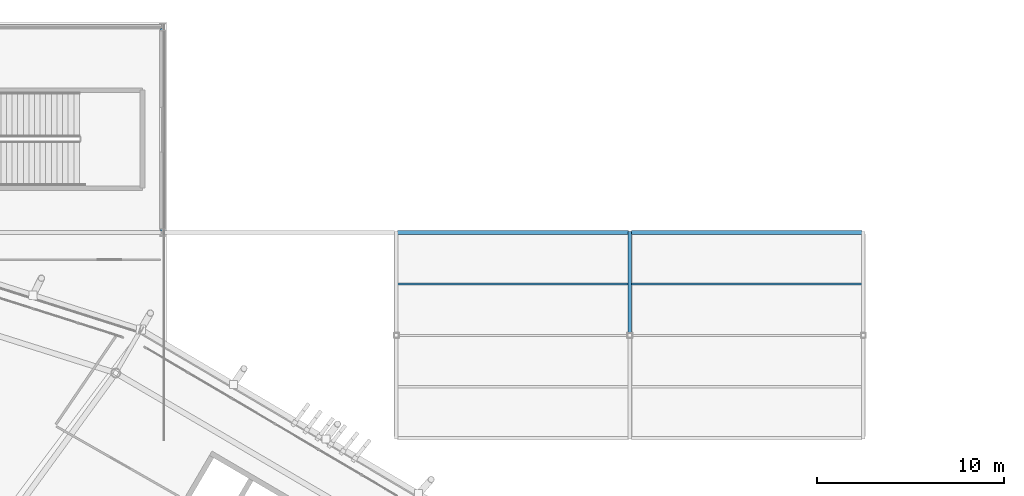
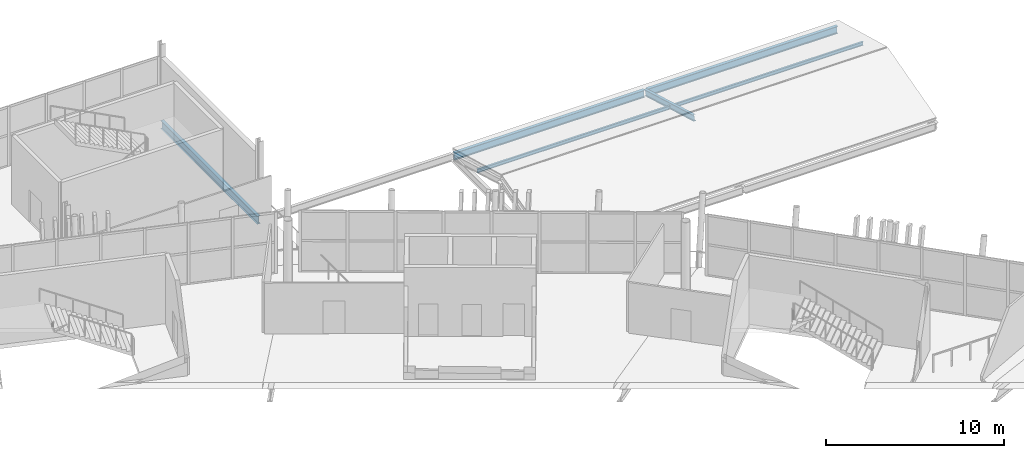
# One storey, part 87 of 179: 3 beams, 3 members.
"""IFC4 building model written with IfcOpenShell, lengths in metres."""

from ifc_helpers import new_model, si_unit, direction, frame, origin, origin_2d, place, context, subcontext, project, spatial, i_section, extrude, material, material_profile, profile_set, type_object, element, save


model = new_model("IFC4")

# Units and contexts
model_context = context("Model", 3, precision=1e-05, world=origin(), true_north=direction((0.0, 1.0)))
body_context = subcontext(model_context, "Body", "Model", "MODEL_VIEW")
ifc_project = project(units=[si_unit("LENGTHUNIT", "METRE"), si_unit("AREAUNIT", "SQUARE_METRE"), si_unit("VOLUMEUNIT", "CUBIC_METRE"), si_unit("PLANEANGLEUNIT", "RADIAN"), si_unit("MASSUNIT", "GRAM", prefix="KILO")], contexts=[model_context])

# Site, building, storey
site_placement = place(None, origin())
site = spatial("IfcSite", under=ifc_project, at=site_placement, CompositionType="ELEMENT")
building_placement = place(site_placement, origin())
building = spatial("IfcBuilding", under=site, at=building_placement, Name="Zlatoyarsky Gate Stadium", CompositionType="ELEMENT")
storey_placement = place(building_placement, frame((0.0, 0.0, 10.60009765625)))
storey = spatial("IfcBuildingStorey", under=building, at=storey_placement, Name="L02", CompositionType="ELEMENT", Elevation=10.60009765625)

# Beams
ifc_material = material(Name="Steel S355", Category="steel")
ifc_material_profile_1 = material_profile(ifc_material, i_section(OverallWidth=0.199951171875, OverallDepth=0.5, WebThickness=0.01025390625, FlangeThickness=0.01611328125, FilletRadius=0.02099609375, at=origin_2d()), Name="IPE 500")
ifc_profile_set_1 = profile_set([ifc_material_profile_1], Name="Steel S355")
beam_type_1 = type_object("IfcBeamType", Name="STEEL FLOOR BEAM IPE 500", PredefinedType="BEAM", material=ifc_profile_set_1)
for number, where, z_axis, x_axis, name in (
    (1, (172.580078125, 149.0, -0.530029296875), (1.0, 0.0, 0.0), (0.0, 1.0, 0.0), "Beam B-IPE500 BM-L02-WGX-15-P"),
    (2, (185.080078125, 149.0, -0.530029296875), (1.0, 0.0, 0.0), (0.0, 1.0, 0.0), "Beam B-IPE500 BM-L02-WGX-16-P"),
):
    element("IfcBeam", number, at=place(storey_placement, frame(where, z_axis=z_axis, x_axis=x_axis)), inside=storey, type_object=beam_type_1, Name=name, PredefinedType="BEAM", context=body_context, shape_type="SweptSolid", body=[
        extrude(i_section(OverallWidth=0.199951171875, OverallDepth=0.5, WebThickness=0.01025390625, FlangeThickness=0.01611328125, FilletRadius=0.02099609375, at=origin_2d()), origin(), (0.0, 0.0, 1.0), 12.33984375),
    ])
ifc_material_profile_2 = material_profile(ifc_material, i_section(OverallWidth=0.2099609375, OverallDepth=0.550048828125, WebThickness=0.010986328125, FlangeThickness=0.01708984375, FilletRadius=0.02392578125, at=origin_2d()), Name="IPE 550")
ifc_profile_set_2 = profile_set([ifc_material_profile_2], Name="Steel S355")
beam_type_2 = type_object("IfcBeamType", Name="STEEL FLOOR BEAM IPE 550", PredefinedType="BEAM", material=ifc_profile_set_2)
beam_placement = place(storey_placement, frame((160.0, 149.080078125, -0.55517578125), z_axis=(0.0, 1.0, 0.0), x_axis=(-1.0, 0.0, 0.0)))
element("IfcBeam", 3, at=beam_placement, inside=storey, type_object=beam_type_2, Name="Beam B-IPE550 BM-L02-WGY-14-P", PredefinedType="BEAM", context=body_context, shape_type="SweptSolid", body=[
    extrude(i_section(OverallWidth=0.2099609375, OverallDepth=0.550048828125, WebThickness=0.010986328125, FlangeThickness=0.01708984375, FilletRadius=0.02392578125, at=origin_2d()), origin(), (0.0, 0.0, 1.0), 10.83984375),
])

# Members
ifc_material_profile_3 = material_profile(ifc_material, i_section(OverallWidth=0.1201171875, OverallDepth=0.239990234375, WebThickness=0.006103515625, FlangeThickness=0.009765625, FilletRadius=0.014892578125, at=origin_2d()), Name="IPE 240")
ifc_profile_set_3 = profile_set([ifc_material_profile_3], Name="Steel S355")
member_type_1 = type_object("IfcMemberType", Name="STEEL PAVILION ROOF PURLIN IPE 240", PredefinedType="PURLIN", material=ifc_profile_set_3)
for number, where, z_axis, x_axis, name in (
    (4, (172.5, 146.25, 0.14501953125), (1.0, 0.0, 0.0), (0.0, 1.0, 0.0), "V6_NE roof purlin 1N"),
    (5, (185.0, 146.25, 0.14501953125), (1.0, 0.0, 0.0), (0.0, 1.0, 0.0), "V6_NE roof purlin 2N"),
):
    element("IfcMember", number, at=place(storey_placement, frame(where, z_axis=z_axis, x_axis=x_axis)), inside=storey, type_object=member_type_1, Name=name, PredefinedType="PURLIN", context=body_context, shape_type="SweptSolid", body=[
        extrude(i_section(OverallWidth=0.1201171875, OverallDepth=0.239990234375, WebThickness=0.006103515625, FlangeThickness=0.009765625, FilletRadius=0.014892578125, at=origin_2d()), origin(), (0.0, 0.0, 1.0), 12.5),
    ])
ifc_material_profile_4 = material_profile(ifc_material, i_section(OverallWidth=0.179931640625, OverallDepth=0.39990234375, WebThickness=0.008544921875, FlangeThickness=0.013427734375, FilletRadius=0.02099609375, at=origin_2d()), Name="IPE 400")
ifc_profile_set_4 = profile_set([ifc_material_profile_4], Name="Steel S355")
member_type_2 = type_object("IfcMemberType", Name="STEEL PAVILION ROOF RAFTER IPE 400", PredefinedType="RAFTER", material=ifc_profile_set_4)
member_placement = place(storey_placement, frame((185.0, 149.0, -0.5), z_axis=(0.0, -0.961598006641, 0.274461789005), x_axis=(1.0, 0.0, 0.0)))
element("IfcMember", 6, at=member_placement, inside=storey, type_object=member_type_2, Name="V6_NE roof rafter 2B", PredefinedType="RAFTER", context=body_context, shape_type="SweptSolid", body=[
    extrude(i_section(OverallWidth=0.179931640625, OverallDepth=0.39990234375, WebThickness=0.008544921875, FlangeThickness=0.013427734375, FilletRadius=0.02099609375, at=origin_2d()), origin(), (0.0, 0.0, 1.0), 5.7197265625),
])

save(model, "model.ifc")
